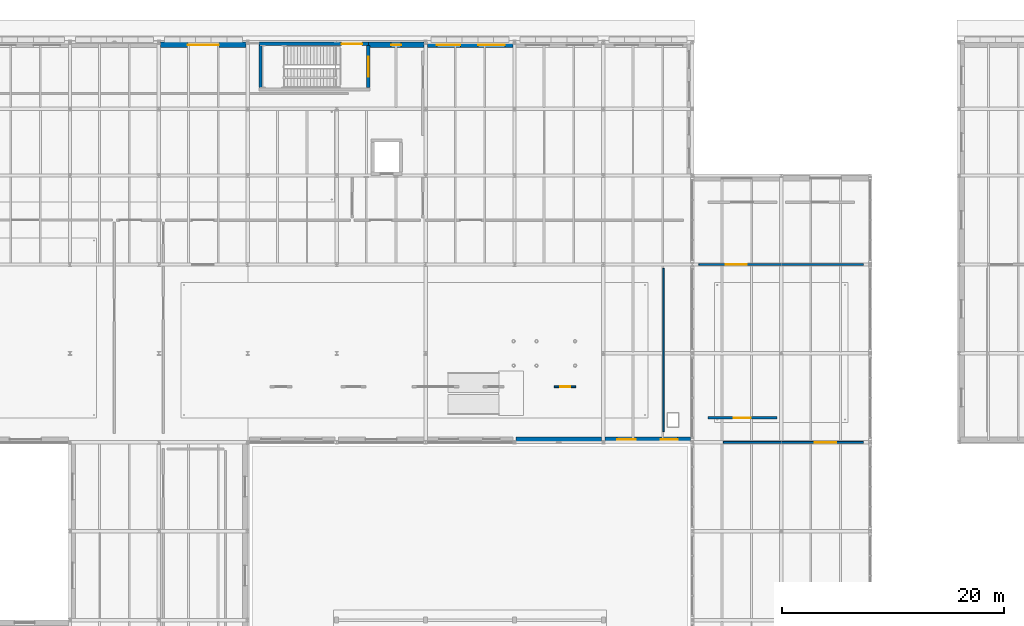
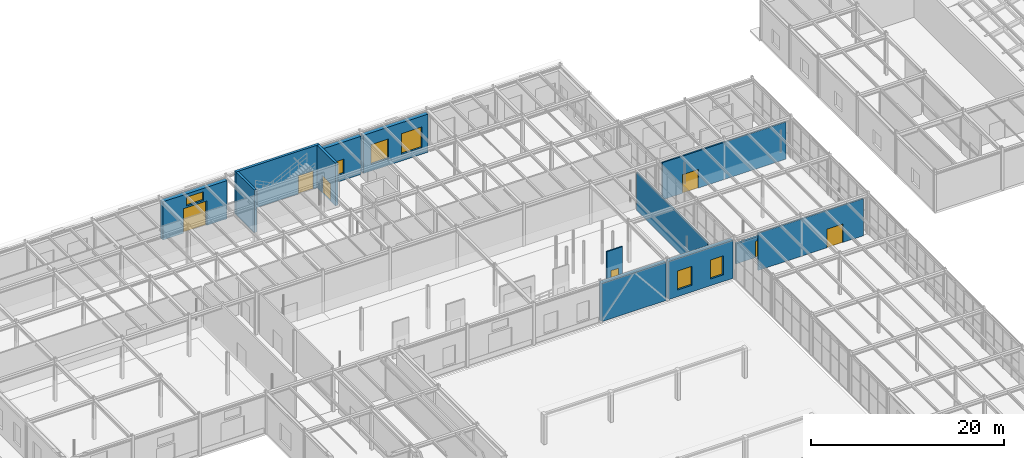
# One storey, part 82 of 129: 13 walls, 7 doors, 6 windows, 13 openings.
"""IFC4 building model written with IfcOpenShell, lengths in metres."""

import ifcopenshell
import ifcopenshell.guid

model = None  # the IFC model being written
_history = None  # IfcOwnerHistory: only IFC2X3 demands one
_inside = {}  # id of a spatial element -> (the spatial element, [elements in it])
_under = {}  # id of a project, library or spatial element -> (it, [spatial elements below it])
_declared = {}  # id of a project -> (the project, [libraries it declares])
_typed = {}  # id of a type object -> (the type object, [elements of that type])
_made_of = {}  # id of a material, layer set ... -> (it, [elements and type objects made of it])


def new_model(schema):
    """Start an empty IFC model of exactly this schema.

    Asked for "IFC4X3", IfcOpenShell would pick the latest addendum, in which some entities
    have other attributes; the version numbers below select the first issue.
    IFC2X3 requires an IfcOwnerHistory on every rooted entity: one is made here for all.
    """
    global model, _history
    if schema == "IFC4X3":
        model = ifcopenshell.file(schema_version=(4, 3, 0, 0))
    else:
        model = ifcopenshell.file(schema=schema)
    _inside.clear()
    _under.clear()
    _declared.clear()
    _typed.clear()
    _made_of.clear()
    _history = None
    if model.schema == "IFC2X3":
        org = make("IfcOrganization", Name="unknown")
        user = make(
            "IfcPersonAndOrganization",
            ThePerson=make("IfcPerson", FamilyName="unknown"),
            TheOrganization=org,
        )
        app = make(
            "IfcApplication",
            ApplicationDeveloper=org,
            Version="unknown",
            ApplicationFullName="unknown",
            ApplicationIdentifier="unknown",
        )
        _history = make(
            "IfcOwnerHistory",
            OwningUser=user,
            OwningApplication=app,
            ChangeAction="ADDED",
            CreationDate=0,
        )
    return model


def make(cls, **values):
    """One entity of the class cls with the attributes given. An attribute that is None is left unset."""
    return model.create_entity(
        cls, **{name: value for name, value in values.items() if value is not None}
    )


def rooted(cls, **values):
    """An entity with a GlobalId (a new one), such as an element, a storey or a relation."""
    return make(cls, GlobalId=ifcopenshell.guid.new(), OwnerHistory=_history, **values)


def si_unit(unit_type, name, prefix=None):
    """IfcSIUnit, for example si_unit("LENGTHUNIT", "METRE", prefix="MILLI")."""
    return make("IfcSIUnit", UnitType=unit_type, Prefix=prefix, Name=name)


def assignment(units):
    """IfcUnitAssignment: the units of a project."""
    return None if units is None else make("IfcUnitAssignment", Units=units)


def point(xyz):
    """IfcCartesianPoint."""
    return None if xyz is None else make("IfcCartesianPoint", Coordinates=xyz)


def direction(xyz):
    """IfcDirection."""
    return None if xyz is None else make("IfcDirection", DirectionRatios=xyz)


def frame(location, z_axis=None, x_axis=None):
    """IfcAxis2Placement3D, a coordinate frame: its origin and axes. An axis left out is left unset."""
    return make(
        "IfcAxis2Placement3D",
        Location=point(location),
        Axis=direction(z_axis),
        RefDirection=direction(x_axis),
    )


def frame_2d(location, x_axis=None):
    """IfcAxis2Placement2D, a coordinate frame in the plane: its origin and x axis."""
    return make(
        "IfcAxis2Placement2D", Location=point(location), RefDirection=direction(x_axis)
    )


def origin():
    """The frame at (0, 0, 0) with its axes left unset."""
    return frame((0.0, 0.0, 0.0))


def place(relative_to, where):
    """IfcLocalPlacement: puts the frame where relative to a parent placement (None: the world)."""
    return make(
        "IfcLocalPlacement", PlacementRelTo=relative_to, RelativePlacement=where
    )


def context(
    kind, dimensions, precision=None, world=None, true_north=None, identifier=None
):
    """IfcGeometricRepresentationContext, for example the 3D "Model" context."""
    return make(
        "IfcGeometricRepresentationContext",
        ContextIdentifier=identifier,
        ContextType=kind,
        CoordinateSpaceDimension=dimensions,
        Precision=precision,
        WorldCoordinateSystem=world,
        TrueNorth=true_north,
    )


def subcontext(parent, identifier, kind, view, scale=None):
    """IfcGeometricRepresentationSubContext, for example "Body" below "Model"."""
    return make(
        "IfcGeometricRepresentationSubContext",
        ContextIdentifier=identifier,
        ContextType=kind,
        ParentContext=parent,
        TargetScale=scale,
        TargetView=view,
    )


def project(units=None, contexts=None):
    """IfcProject with its units and contexts."""
    return rooted(
        "IfcProject",
        Name="project",
        RepresentationContexts=contexts,
        UnitsInContext=assignment(units),
    )


def spatial(cls, under=None, at=None, **own):
    """A site, building, storey or space (cls), placed at a placement, below another one or the project."""
    s = rooted(cls, ObjectPlacement=at, **own)
    if under is not None:
        _under.setdefault(under.id(), (under, []))[1].append(s)
    return s


def profile(cls, at=None, kind="AREA", **sizes):
    """A parametric profile (cls). Its sizes go by their IFC names, for example OverallWidth=200.0."""
    return make(cls, ProfileType=kind, Position=at, **sizes)


def rectangle(**sizes):
    """IfcRectangleProfileDef."""
    return profile("IfcRectangleProfileDef", **sizes)


def extrude(swept, where, along, depth):
    """IfcExtrudedAreaSolid: the profile swept, set in the frame where, extruded along a direction by depth."""
    return make(
        "IfcExtrudedAreaSolid",
        SweptArea=swept,
        Position=where,
        ExtrudedDirection=direction(along),
        Depth=depth,
    )


def shape(context_of_items, identifier, shape_type, items):
    """IfcShapeRepresentation: the items that make up one representation, for example the "Body"."""
    return make(
        "IfcShapeRepresentation",
        ContextOfItems=context_of_items,
        RepresentationIdentifier=identifier,
        RepresentationType=shape_type,
        Items=items,
    )


def material(Name=None, Category=None):
    """IfcMaterial."""
    return make("IfcMaterial", Name=Name, Category=Category)


def layer(
    of_material, thickness, ventilated=None, Name=None, Category=None, Priority=None
):
    """IfcMaterialLayer: one layer of a wall or slab, of a material (None: an air gap)."""
    return make(
        "IfcMaterialLayer",
        Material=of_material,
        LayerThickness=thickness,
        IsVentilated=ventilated,
        Name=Name,
        Category=Category,
        Priority=Priority,
    )


def layer_set(layers, Name=None):
    """IfcMaterialLayerSet."""
    return make("IfcMaterialLayerSet", MaterialLayers=layers, LayerSetName=Name)


def made_of(thing, what):
    """Note that an element or type object is made of a material, layer set ...; save() writes the relation."""
    if what is not None:
        _made_of.setdefault(what.id(), (what, []))[1].append(thing)
    return thing


def type_object(cls, material=None, **own):
    """A type object (cls), such as IfcWallType, which elements share."""
    return made_of(rooted(cls, **own), material)


def element(
    cls,
    number,
    at=None,
    inside=None,
    cuts=None,
    type_object=None,
    material=None,
    context=None,
    identifier="Body",
    shape_type=None,
    held_by="IfcProductDefinitionShape",
    body=None,
    shapes=None,
    **own,
):
    """One element of the class cls, such as IfcWall. Its Tag is "e" and its number.

    at: its placement. inside: the storey or other place that contains it. cuts: it is an
    opening in that element (IfcRelVoidsElement). A single representation is given by context,
    identifier, shape_type and body (its items); several are given by shapes. held_by: the class
    of the entity that holds the representations. save() writes the other relations.
    """
    e = rooted(cls, Tag="e%d" % number, ObjectPlacement=at, **own)
    if body is not None:
        shapes = [shape(context, identifier, shape_type, body)]
    if shapes is not None:
        e.Representation = make(held_by, Representations=shapes)
    if inside is not None:
        _inside.setdefault(inside.id(), (inside, []))[1].append(e)
    if cuts is not None:
        rooted(
            "IfcRelVoidsElement", RelatingBuildingElement=cuts, RelatedOpeningElement=e
        )
    if type_object is not None:
        _typed.setdefault(type_object.id(), (type_object, []))[1].append(e)
    return made_of(e, material)


def fill(opening, filler):
    """IfcRelFillsElement: the door or window that sits in an opening."""
    return rooted(
        "IfcRelFillsElement",
        RelatingOpeningElement=opening,
        RelatedBuildingElement=filler,
    )


def aggregate(whole, parts):
    """IfcRelAggregates: a whole, such as a stair, and the parts it consists of."""
    return rooted("IfcRelAggregates", RelatingObject=whole, RelatedObjects=parts)


def save(model, path):
    """Write the relations noted so far, then the file.

    IfcRelAggregates (storeys below a building ...), IfcRelContainedInSpatialStructure (elements
    in a storey), IfcRelDefinesByType, IfcRelAssociatesMaterial and IfcRelDeclares: one each for
    every whole, place, type object, material and project.
    """
    for whole, parts in _under.values():
        aggregate(whole, parts)
    for where, things in _inside.values():
        rooted(
            "IfcRelContainedInSpatialStructure",
            RelatedElements=things,
            RelatingStructure=where,
        )
    for kind, things in _typed.values():
        rooted("IfcRelDefinesByType", RelatedObjects=things, RelatingType=kind)
    for what, things in _made_of.values():
        rooted("IfcRelAssociatesMaterial", RelatedObjects=things, RelatingMaterial=what)
    for by, libraries in _declared.values():
        rooted("IfcRelDeclares", RelatingContext=by, RelatedDefinitions=libraries)
    model.write(path)


model = new_model("IFC4")

# Units and contexts
model_context = context("Model", 3, precision=1e-05, world=origin(), true_north=direction((0.0, 1.0)))
body_context = subcontext(model_context, "Body", "Model", "MODEL_VIEW")
ifc_project = project(units=[si_unit("LENGTHUNIT", "METRE"), si_unit("AREAUNIT", "SQUARE_METRE"), si_unit("VOLUMEUNIT", "CUBIC_METRE"), si_unit("PLANEANGLEUNIT", "RADIAN"), si_unit("MASSUNIT", "GRAM", prefix="KILO")], contexts=[model_context])

# Site, building, storey
site_placement = place(None, origin())
site = spatial("IfcSite", under=ifc_project, at=site_placement, CompositionType="ELEMENT")
building_placement = place(site_placement, origin())
building = spatial("IfcBuilding", under=site, at=building_placement, Name="Sundkrona Museum", CompositionType="ELEMENT")
storey_placement = place(building_placement, origin())
storey = spatial("IfcBuildingStorey", under=building, at=storey_placement, Name="L00", CompositionType="ELEMENT", Elevation=0.0)

# Wall, opening, door
ifc_material_1 = material(Name="Concrete C40/50", Category="concrete")
ifc_layer_1 = layer(ifc_material_1, 0.300048828125)
ifc_layer_set_1 = layer_set([ifc_layer_1], Name="Concrete C40/50")
wall_type_1 = type_object("IfcWallType", Name="W-CORE-300", PredefinedType="SHEAR", material=ifc_layer_set_1)
wall_1_placement = place(storey_placement, frame((41.0, 113.85009765625, 0.0), z_axis=(0.0, 0.0, 1.0), x_axis=(1.0, 0.0, 0.0)))
wall_1 = element("IfcWall", 1, at=wall_1_placement, inside=storey, type_object=wall_type_1, Name="L00 ST-3 Core Shear Wall North", PredefinedType="SHEAR", context=body_context, shape_type="SweptSolid", body=[
    extrude(rectangle(XDim=10.0, YDim=0.300048828125, at=frame_2d((5.0, 0.0))), origin(), (0.0, 0.0, 1.0), 5.39990234375),
])
opening_1_placement = place(wall_1_placement, frame((7.449951171875, 0.0, 0.0)))
opening_1 = element("IfcOpeningElement", 2, at=opening_1_placement, cuts=wall_1, Name="Opening D-EX-185", PredefinedType="OPENING", context=body_context, shape_type="SweptSolid", body=[
    extrude(rectangle(XDim=1.85009765625, YDim=2.300048828125, at=frame_2d((0.925048828125, 1.14990234375))), frame((0.0, 0.159912109375, 0.0), z_axis=(0.0, -1.0, 0.0), x_axis=(1.0, 0.0, 0.0)), (0.0, 0.0, 1.0), 0.320068359375),
])
ifc_material_2 = material(Name="Thermally Broken Aluminium Exit Door", Category="aluminium")
door_type_1 = type_object("IfcDoorType", Name="D-EX-185", OperationType="DOUBLE_DOOR_SINGLE_SWING", PredefinedType="DOOR", material=ifc_material_2)
door_1_placement = place(opening_1_placement, origin())
door_1 = element("IfcDoor", 3, at=door_1_placement, inside=storey, type_object=door_type_1, Name="Core 3 ST-3 North Avenue Exit Door FE-9 DR-ST3-EXIT", OperationType="DOUBLE_DOOR_SINGLE_SWING", OverallHeight=2.300048828125, OverallWidth=1.85009765625, PredefinedType="DOOR", context=body_context, shape_type="SweptSolid", body=[
    extrude(rectangle(XDim=1.85009765625, YDim=2.300048828125, at=frame_2d((0.925048828125, 1.14990234375))), frame((0.0, 0.02490234375, 0.0), z_axis=(0.0, -1.0, 0.0), x_axis=(1.0, 0.0, 0.0)), (0.0, 0.0, 1.0), 0.050048828125),
])
fill(opening_1, door_1)

# Wall
wall_2_placement = place(storey_placement, frame((41.14990234375, 109.909912109375, 0.0), z_axis=(0.0, 0.0, 1.0), x_axis=(0.0, 1.0, 0.0)))
element("IfcWall", 4, at=wall_2_placement, inside=storey, type_object=wall_type_1, Name="L00 ST-3 Core Shear Wall West", PredefinedType="SHEAR", context=body_context, shape_type="SweptSolid", body=[
    extrude(rectangle(XDim=3.780029296875, YDim=0.300048828125, at=frame_2d((1.89013671875, 0.0))), origin(), (0.0, 0.0, 1.0), 5.39990234375),
])

# Wall, opening, door
wall_3_placement = place(storey_placement, frame((50.85009765625, 109.909912109375, 0.0), z_axis=(0.0, 0.0, 1.0), x_axis=(0.0, 1.0, 0.0)))
wall_3 = element("IfcWall", 5, at=wall_3_placement, inside=storey, type_object=wall_type_1, Name="L00 ST-3 Core Shear Wall East", PredefinedType="SHEAR", context=body_context, shape_type="SweptSolid", body=[
    extrude(rectangle(XDim=3.780029296875, YDim=0.300048828125, at=frame_2d((1.89013671875, 0.0))), origin(), (0.0, 0.0, 1.0), 5.39990234375),
])
opening_2_placement = place(wall_3_placement, frame((0.989990234375, 0.0, 0.0)))
opening_2 = element("IfcOpeningElement", 6, at=opening_2_placement, cuts=wall_3, Name="Opening D-FD60", PredefinedType="OPENING", context=body_context, shape_type="SweptSolid", body=[
    extrude(rectangle(XDim=1.800048828125, YDim=2.199951171875, at=frame_2d((0.89990234375, 1.10009765625))), frame((0.0, 0.159912109375, 0.0), z_axis=(0.0, -1.0, 0.0), x_axis=(1.0, 0.0, 0.0)), (0.0, 0.0, 1.0), 0.320068359375),
])
ifc_material_3 = material(Name="Steel S355J2 Fire Door Leaf", Category="steel")
door_type_2 = type_object("IfcDoorType", Name="D-FD60", OperationType="DOUBLE_DOOR_SINGLE_SWING", PredefinedType="DOOR", material=ifc_material_3)
door_2_placement = place(opening_2_placement, origin())
door_2 = element("IfcDoor", 7, at=door_2_placement, inside=storey, type_object=door_type_2, Name="L00 ST-3 Protected Escape Stair Door DR-ST-3-L00", OperationType="DOUBLE_DOOR_SINGLE_SWING", OverallHeight=2.199951171875, OverallWidth=1.800048828125, PredefinedType="DOOR", context=body_context, shape_type="SweptSolid", body=[
    extrude(rectangle(XDim=1.800048828125, YDim=2.199951171875, at=frame_2d((0.89990234375, 1.10009765625))), frame((0.0, 0.02490234375, 0.0), z_axis=(0.0, -1.0, 0.0), x_axis=(1.0, 0.0, 0.0)), (0.0, 0.0, 1.0), 0.050048828125),
])
fill(opening_2, door_2)

# Wall
ifc_material_4 = material(Name="Danian Limestone Ashlar Masonry 480 mm", Category="masonry")
ifc_layer_2 = layer(ifc_material_4, 0.47998046875)
ifc_layer_set_2 = layer_set([ifc_layer_2], Name="Danian Limestone Ashlar Masonry 480 mm")
wall_type_2 = type_object("IfcWallType", Name="W-LIM-480", PredefinedType="SOLIDWALL", material=ifc_layer_set_2)
wall_4_placement = place(storey_placement, frame((71.847900390625, 78.239990234375, 0.0), z_axis=(0.0, 0.0, 1.0), x_axis=(-1.0, 0.0, 0.0)))
element("IfcWall", 8, at=wall_4_placement, inside=storey, type_object=wall_type_2, Name="L00 Facade Wall 0100", PredefinedType="SOLIDWALL", context=body_context, shape_type="SweptSolid", body=[
    extrude(rectangle(XDim=7.69580078125, YDim=0.47998046875, at=frame_2d((3.847900390625, 0.0))), origin(), (0.0, 0.0, 1.0), 4.8349609375),
])

# Wall, openings, windows
wall_5_placement = place(storey_placement, frame((79.85791015625, 78.239990234375, 0.0), z_axis=(0.0, 0.0, 1.0), x_axis=(-1.0, 0.0, 0.0)))
wall_5 = element("IfcWall", 9, at=wall_5_placement, inside=storey, type_object=wall_type_2, Name="L00 Facade Wall 0101", PredefinedType="SOLIDWALL", context=body_context, shape_type="SweptSolid", body=[
    extrude(rectangle(XDim=7.705810546875, YDim=0.47998046875, at=frame_2d((3.85302734375, 0.0))), origin(), (0.0, 0.0, 1.0), 4.81494140625),
])
opening_3_placement = place(wall_5_placement, frame((1.176513671875, 0.0, 0.85009765625)))
opening_3 = element("IfcOpeningElement", 10, at=opening_3_placement, cuts=wall_5, Name="Opening WN-GL-150x240", PredefinedType="OPENING", context=body_context, shape_type="SweptSolid", body=[
    extrude(rectangle(XDim=1.5, YDim=2.39990234375, at=frame_2d((0.75, 1.199951171875))), frame((0.0, 0.25, 0.0), z_axis=(0.0, -1.0, 0.0), x_axis=(1.0, 0.0, 0.0)), (0.0, 0.0, 1.0), 0.5),
])
opening_4_placement = place(wall_5_placement, frame((4.929443359375, 0.0, 0.85009765625)))
opening_4 = element("IfcOpeningElement", 11, at=opening_4_placement, cuts=wall_5, Name="Opening WN-GL-170x240", PredefinedType="OPENING", context=body_context, shape_type="SweptSolid", body=[
    extrude(rectangle(XDim=1.699951171875, YDim=2.39990234375, at=frame_2d((0.85009765625, 1.199951171875))), frame((0.0, 0.25, 0.0), z_axis=(0.0, -1.0, 0.0), x_axis=(1.0, 0.0, 0.0)), (0.0, 0.0, 1.0), 0.5),
])
ifc_material_5 = material(Name="Triple Low-E Argon Glazing in Bronze-Anodised Aluminium", Category="aluminium")
window_type_1 = type_object("IfcWindowType", Name="WN-GL-150x240", PartitioningType="SINGLE_PANEL", PredefinedType="WINDOW", material=ifc_material_5)
window_1_placement = place(opening_3_placement, origin())
window_1 = element("IfcWindow", 12, at=window_1_placement, inside=storey, type_object=window_type_1, Name="L00 Finned wing deep-reveal gallery window 1500x2400 WIN-L00-0137", OverallHeight=2.39990234375, OverallWidth=1.5, PartitioningType="SINGLE_PANEL", PredefinedType="WINDOW", context=body_context, shape_type="SweptSolid", body=[
    extrude(rectangle(XDim=1.5, YDim=2.39990234375, at=frame_2d((0.75, 1.199951171875))), frame((0.0, 0.030029296875, 0.0), z_axis=(0.0, -1.0, 0.0), x_axis=(1.0, 0.0, 0.0)), (0.0, 0.0, 1.0), 0.06005859375),
])
fill(opening_3, window_1)
window_type_2 = type_object("IfcWindowType", Name="WN-GL-170x240", PartitioningType="DOUBLE_PANEL_VERTICAL", PredefinedType="WINDOW", material=ifc_material_5)
window_2_placement = place(opening_4_placement, origin())
window_2 = element("IfcWindow", 13, at=window_2_placement, inside=storey, type_object=window_type_2, Name="L00 Finned wing wide gallery window 1700x2400 WIN-L00-0138", OverallHeight=2.39990234375, OverallWidth=1.699951171875, PartitioningType="DOUBLE_PANEL_VERTICAL", PredefinedType="WINDOW", context=body_context, shape_type="SweptSolid", body=[
    extrude(rectangle(XDim=1.699951171875, YDim=2.39990234375, at=frame_2d((0.85009765625, 1.199951171875))), frame((0.0, 0.030029296875, 0.0), z_axis=(0.0, -1.0, 0.0), x_axis=(1.0, 0.0, 0.0)), (0.0, 0.0, 1.0), 0.06005859375),
])
fill(opening_4, window_2)

# Wall, openings, door, window
wall_6_placement = place(storey_placement, frame((32.152099609375, 113.760009765625, 0.0), z_axis=(0.0, 0.0, 1.0), x_axis=(1.0, 0.0, 0.0)))
wall_6 = element("IfcWall", 14, at=wall_6_placement, inside=storey, type_object=wall_type_2, Name="L00 Facade Wall 0111", PredefinedType="SOLIDWALL", context=body_context, shape_type="SweptSolid", body=[
    extrude(rectangle(XDim=7.69580078125, YDim=0.47998046875, at=frame_2d((3.847900390625, 0.0))), origin(), (0.0, 0.0, 1.0), 4.8349609375),
])
opening_5_placement = place(wall_6_placement, frame((2.447998046875, 0.0, 0.0)))
opening_5 = element("IfcOpeningElement", 15, at=opening_5_placement, cuts=wall_6, Name="Opening D-EX-280", PredefinedType="OPENING", context=body_context, shape_type="SweptSolid", body=[
    extrude(rectangle(XDim=2.800048828125, YDim=3.10009765625, at=frame_2d((1.39990234375, 1.550048828125))), frame((0.0, 0.25, 0.0), z_axis=(0.0, -1.0, 0.0), x_axis=(1.0, 0.0, 0.0)), (0.0, 0.0, 1.0), 0.5),
])
opening_6_placement = place(wall_6_placement, frame((2.847900390625, 0.0, 3.320068359375)))
opening_6 = element("IfcOpeningElement", 16, at=opening_6_placement, cuts=wall_6, Name="Opening WN-CL-200x110", PredefinedType="OPENING", context=body_context, shape_type="SweptSolid", body=[
    extrude(rectangle(XDim=2.0, YDim=1.10009765625, at=frame_2d((1.0, 0.550048828125))), frame((0.0, 0.25, 0.0), z_axis=(0.0, -1.0, 0.0), x_axis=(1.0, 0.0, 0.0)), (0.0, 0.0, 1.0), 0.5),
])
ifc_material_6 = material(Name="Bronze and Triple-Glazed Entrance Door", Category="other")
door_type_3 = type_object("IfcDoorType", Name="D-EX-280", OperationType="DOUBLE_DOOR_SINGLE_SWING", PredefinedType="DOOR", material=ifc_material_6)
door_3_placement = place(opening_5_placement, origin())
door_3 = element("IfcDoor", 17, at=door_3_placement, inside=storey, type_object=door_type_3, Name="L00 Exterior Door D-EX-280 DR-FE-V3N-32", OperationType="DOUBLE_DOOR_SINGLE_SWING", OverallHeight=3.10009765625, OverallWidth=2.800048828125, PredefinedType="DOOR", context=body_context, shape_type="SweptSolid", body=[
    extrude(rectangle(XDim=2.800048828125, YDim=3.10009765625, at=frame_2d((1.39990234375, 1.550048828125))), frame((0.0, 0.02490234375, 0.0), z_axis=(0.0, -1.0, 0.0), x_axis=(1.0, 0.0, 0.0)), (0.0, 0.0, 1.0), 0.050048828125),
])
fill(opening_5, door_3)
window_type_3 = type_object("IfcWindowType", Name="WN-CL-200x110", PartitioningType="DOUBLE_PANEL_HORIZONTAL", PredefinedType="WINDOW", material=ifc_material_5)
window_3_placement = place(opening_6_placement, origin())
window_3 = element("IfcWindow", 18, at=window_3_placement, inside=storey, type_object=window_type_3, Name="L00 Archive foyer clerestory window 2000x1100 WIN-L00-0150", OverallHeight=1.10009765625, OverallWidth=2.0, PartitioningType="DOUBLE_PANEL_HORIZONTAL", PredefinedType="WINDOW", context=body_context, shape_type="SweptSolid", body=[
    extrude(rectangle(XDim=2.0, YDim=1.10009765625, at=frame_2d((1.0, 0.550048828125))), frame((0.0, 0.030029296875, 0.0), z_axis=(0.0, -1.0, 0.0), x_axis=(1.0, 0.0, 0.0)), (0.0, 0.0, 1.0), 0.06005859375),
])
fill(opening_6, window_3)

# Wall, opening, window
wall_7_placement = place(storey_placement, frame((50.860107421875, 113.760009765625, 0.0), z_axis=(0.0, 0.0, 1.0), x_axis=(1.0, 0.0, 0.0)))
wall_7 = element("IfcWall", 19, at=wall_7_placement, inside=storey, type_object=wall_type_2, Name="L00 Facade Wall 0112", PredefinedType="SOLIDWALL", context=body_context, shape_type="SweptSolid", body=[
    extrude(rectangle(XDim=4.98779296875, YDim=0.47998046875, at=frame_2d((2.493896484375, 0.0))), origin(), (0.0, 0.0, 1.0), 4.8349609375),
])
opening_7_placement = place(wall_7_placement, frame((2.0439453125, 0.0, 0.85009765625)))
opening_7 = element("IfcOpeningElement", 20, at=opening_7_placement, cuts=wall_7, Name="Opening WN-ST-090x180", PredefinedType="OPENING", context=body_context, shape_type="SweptSolid", body=[
    extrude(rectangle(XDim=0.89990234375, YDim=1.800048828125, at=frame_2d((0.449951171875, 0.89990234375))), frame((0.0, 0.25, 0.0), z_axis=(0.0, -1.0, 0.0), x_axis=(1.0, 0.0, 0.0)), (0.0, 0.0, 1.0), 0.5),
])
window_type_4 = type_object("IfcWindowType", Name="WN-ST-090x180", PartitioningType="SINGLE_PANEL", PredefinedType="WINDOW", material=ifc_material_5)
window_4_placement = place(opening_7_placement, origin())
window_4 = element("IfcWindow", 21, at=window_4_placement, inside=storey, type_object=window_type_4, Name="L00 Stair-core avenue daylight slot window 900x1800 WIN-L00-0151", OverallHeight=1.800048828125, OverallWidth=0.89990234375, PartitioningType="SINGLE_PANEL", PredefinedType="WINDOW", context=body_context, shape_type="SweptSolid", body=[
    extrude(rectangle(XDim=0.89990234375, YDim=1.800048828125, at=frame_2d((0.449951171875, 0.89990234375))), frame((0.0, 0.030029296875, 0.0), z_axis=(0.0, -1.0, 0.0), x_axis=(1.0, 0.0, 0.0)), (0.0, 0.0, 1.0), 0.06005859375),
])
fill(opening_7, window_4)

# Wall, openings, windows
wall_8_placement = place(storey_placement, frame((56.152099609375, 113.760009765625, 0.0), z_axis=(0.0, 0.0, 1.0), x_axis=(1.0, 0.0, 0.0)))
wall_8 = element("IfcWall", 22, at=wall_8_placement, inside=storey, type_object=wall_type_2, Name="L00 Facade Wall 0113", PredefinedType="SOLIDWALL", context=body_context, shape_type="SweptSolid", body=[
    extrude(rectangle(XDim=7.69580078125, YDim=0.47998046875, at=frame_2d((3.847900390625, 0.0))), origin(), (0.0, 0.0, 1.0), 4.8349609375),
])
opening_8_placement = place(wall_8_placement, frame((0.8740234375, 0.0, 0.85009765625)))
opening_8 = element("IfcOpeningElement", 23, at=opening_8_placement, cuts=wall_8, Name="Opening WN-GL-210x250", PredefinedType="OPENING", context=body_context, shape_type="SweptSolid", body=[
    extrude(rectangle(XDim=2.10009765625, YDim=2.5, at=frame_2d((1.050048828125, 1.25))), frame((0.0, 0.25, 0.0), z_axis=(0.0, -1.0, 0.0), x_axis=(1.0, 0.0, 0.0)), (0.0, 0.0, 1.0), 0.5),
])
opening_9_placement = place(wall_8_placement, frame((4.572021484375, 0.0, 0.85009765625)))
opening_9 = element("IfcOpeningElement", 24, at=opening_9_placement, cuts=wall_8, Name="Opening WN-GL-240x260", PredefinedType="OPENING", context=body_context, shape_type="SweptSolid", body=[
    extrude(rectangle(XDim=2.39990234375, YDim=2.60009765625, at=frame_2d((1.199951171875, 1.300048828125))), frame((0.0, 0.25, 0.0), z_axis=(0.0, -1.0, 0.0), x_axis=(1.0, 0.0, 0.0)), (0.0, 0.0, 1.0), 0.5),
])
window_type_5 = type_object("IfcWindowType", Name="WN-GL-210x250", PartitioningType="DOUBLE_PANEL_VERTICAL", PredefinedType="WINDOW", material=ifc_material_5)
window_5_placement = place(opening_8_placement, origin())
window_5 = element("IfcWindow", 25, at=window_5_placement, inside=storey, type_object=window_type_5, Name="L00 Botanical court outlook window 2100x2500 WIN-L00-0152", OverallHeight=2.5, OverallWidth=2.10009765625, PartitioningType="DOUBLE_PANEL_VERTICAL", PredefinedType="WINDOW", context=body_context, shape_type="SweptSolid", body=[
    extrude(rectangle(XDim=2.10009765625, YDim=2.5, at=frame_2d((1.050048828125, 1.25))), frame((0.0, 0.030029296875, 0.0), z_axis=(0.0, -1.0, 0.0), x_axis=(1.0, 0.0, 0.0)), (0.0, 0.0, 1.0), 0.06005859375),
])
fill(opening_8, window_5)
window_type_6 = type_object("IfcWindowType", Name="WN-GL-240x260", PartitioningType="TRIPLE_PANEL_VERTICAL", PredefinedType="WINDOW", material=ifc_material_5)
window_6_placement = place(opening_9_placement, origin())
window_6 = element("IfcWindow", 26, at=window_6_placement, inside=storey, type_object=window_type_6, Name="L00 Cloister garden picture window 2400x2600 WIN-L00-0153", OverallHeight=2.60009765625, OverallWidth=2.39990234375, PartitioningType="TRIPLE_PANEL_VERTICAL", PredefinedType="WINDOW", context=body_context, shape_type="SweptSolid", body=[
    extrude(rectangle(XDim=2.39990234375, YDim=2.60009765625, at=frame_2d((1.199951171875, 1.300048828125))), frame((0.0, 0.030029296875, 0.0), z_axis=(0.0, -1.0, 0.0), x_axis=(1.0, 0.0, 0.0)), (0.0, 0.0, 1.0), 0.06005859375),
])
fill(opening_9, window_6)

# Wall, opening, door
ifc_material_7 = material(Name="Copper-capped Scanian Brick Masonry 250 mm", Category="masonry")
ifc_layer_3 = layer(ifc_material_7, 0.25)
ifc_layer_set_3 = layer_set([ifc_layer_3], Name="Copper-capped Scanian Brick Masonry 250 mm")
wall_type_3 = type_object("IfcWallType", Name="W-PR-250", PredefinedType="PARAPET", material=ifc_layer_set_3)
wall_9_placement = place(storey_placement, frame((81.39990234375, 80.199951171875, 0.0), z_axis=(0.0, 0.0, 1.0), x_axis=(1.0, 0.0, 0.0)))
wall_9 = element("IfcWall", 27, at=wall_9_placement, inside=storey, type_object=wall_type_3, Name="Courtyard Masonry Screen Wall SC-S1", PredefinedType="PARAPET", context=body_context, shape_type="SweptSolid", body=[
    extrude(rectangle(XDim=6.2001953125, YDim=0.25, at=frame_2d((3.10009765625, 0.0))), origin(), (0.0, 0.0, 1.0), 2.550048828125),
])
opening_10_placement = place(wall_9_placement, frame((2.35009765625, 0.0, 0.0)))
opening_10 = element("IfcOpeningElement", 28, at=opening_10_placement, cuts=wall_9, Name="Opening GT-150", PredefinedType="OPENING", context=body_context, shape_type="SweptSolid", body=[
    extrude(rectangle(XDim=1.5, YDim=2.050048828125, at=frame_2d((0.75, 1.02490234375))), frame((0.0, 0.135009765625, 0.0), z_axis=(0.0, -1.0, 0.0), x_axis=(1.0, 0.0, 0.0)), (0.0, 0.0, 1.0), 0.27001953125),
])
ifc_material_8 = material(Name="Wrought Steel Modernisme Bar Gate", Category="steel")
door_type_4 = type_object("IfcDoorType", Name="GT-150", OperationType="NOTDEFINED", PredefinedType="GATE", material=ifc_material_8)
door_4_placement = place(opening_10_placement, origin())
door_4 = element("IfcDoor", 29, at=door_4_placement, inside=storey, type_object=door_type_4, Name="Courtyard Escape Gate GT-150 DR-GATE-SC-S1", OperationType="SINGLE_SWING_LEFT", OverallHeight=2.050048828125, OverallWidth=1.5, PredefinedType="GATE", context=body_context, shape_type="SweptSolid", body=[
    extrude(rectangle(XDim=1.5, YDim=2.050048828125, at=frame_2d((0.75, 1.02490234375))), frame((0.0, 0.02490234375, 0.0), z_axis=(0.0, -1.0, 0.0), x_axis=(1.0, 0.0, 0.0)), (0.0, 0.0, 1.0), 0.050048828125),
])
fill(opening_10, door_4)

# Wall
ifc_material_9 = material(Name="Acoustic Gypsum Partition Board 150 mm", Category="other")
ifc_layer_4 = layer(ifc_material_9, 0.14990234375)
ifc_layer_set_4 = layer_set([ifc_layer_4], Name="Acoustic Gypsum Partition Board 150 mm")
wall_type_4 = type_object("IfcWallType", Name="W-PT-150", PredefinedType="PARTITIONING", material=ifc_layer_set_4)
wall_10_placement = place(storey_placement, frame((77.39990234375, 78.949951171875, 0.0), z_axis=(0.0, 0.0, 1.0), x_axis=(0.0, 1.0, 0.0)))
element("IfcWall", 30, at=wall_10_placement, inside=storey, type_object=wall_type_4, Name="L00 Sculpture Cloister Gallery Enclosure Wall E", PredefinedType="PARTITIONING", context=body_context, shape_type="SweptSolid", body=[
    extrude(rectangle(XDim=14.699951171875, YDim=0.14990234375, at=frame_2d((7.35009765625, 0.0))), origin(), (0.0, 0.0, 1.0), 4.81005859375),
])

# Wall, opening, door
wall_11_placement = place(storey_placement, frame((67.60009765625, 83.0, 0.0), z_axis=(0.0, 0.0, 1.0), x_axis=(1.0, 0.0, 0.0)))
wall_11 = element("IfcWall", 31, at=wall_11_placement, inside=storey, type_object=wall_type_4, Name="L00 Gallery Vestibule Screen 05", PredefinedType="PARTITIONING", context=body_context, shape_type="SweptSolid", body=[
    extrude(rectangle(XDim=1.89990234375, YDim=0.14990234375, at=frame_2d((0.949951171875, 0.0))), origin(), (0.0, 0.0, 1.0), 4.659912109375),
])
opening_11_placement = place(wall_11_placement, frame((0.5, 0.0, 0.0)))
opening_11 = element("IfcOpeningElement", 32, at=opening_11_placement, cuts=wall_11, Name="Opening D-WC-090", PredefinedType="OPENING", context=body_context, shape_type="SweptSolid", body=[
    extrude(rectangle(XDim=0.89990234375, YDim=2.10009765625, at=frame_2d((0.449951171875, 1.050048828125))), frame((0.0, 0.0849609375, 0.0), z_axis=(0.0, -1.0, 0.0), x_axis=(1.0, 0.0, 0.0)), (0.0, 0.0, 1.0), 0.169921875),
])
ifc_material_10 = material(Name="Painted Ash Timber Door", Category="wood")
door_type_5 = type_object("IfcDoorType", Name="D-WC-090", OperationType="NOTDEFINED", PredefinedType="DOOR", material=ifc_material_10)
door_5_placement = place(opening_11_placement, origin())
door_5 = element("IfcDoor", 33, at=door_5_placement, inside=storey, type_object=door_type_5, Name="L00 Vestibule Door D-WC-090 DR-VST-05", OperationType="SINGLE_SWING_LEFT", OverallHeight=2.10009765625, OverallWidth=0.89990234375, PredefinedType="DOOR", context=body_context, shape_type="SweptSolid", body=[
    extrude(rectangle(XDim=0.89990234375, YDim=2.10009765625, at=frame_2d((0.449951171875, 1.050048828125))), frame((0.0, 0.02490234375, 0.0), z_axis=(0.0, -1.0, 0.0), x_axis=(1.0, 0.0, 0.0)), (0.0, 0.0, 1.0), 0.050048828125),
])
fill(opening_11, door_5)

ifc_material_11 = material(Name="Fire-rated Gypsum Partition Board 175 mm", Category="other")
ifc_layer_5 = layer(ifc_material_11, 0.175048828125)
ifc_layer_set_5 = layer_set([ifc_layer_5], Name="Fire-rated Gypsum Partition Board 175 mm")
wall_type_5 = type_object("IfcWallType", Name="W-PT-175", PredefinedType="PARTITIONING", material=ifc_layer_set_5)
wall_12_placement = place(storey_placement, frame((82.800048828125, 78.0, 0.0), z_axis=(0.0, 0.0, 1.0), x_axis=(1.0, 0.0, 0.0)))
wall_12 = element("IfcWall", 34, at=wall_12_placement, inside=storey, type_object=wall_type_5, Name="L00 Partition Covered Passage Concourse / Public Natural History Study Room", PredefinedType="PARTITIONING", context=body_context, shape_type="SweptSolid", body=[
    extrude(rectangle(XDim=12.599853515625, YDim=0.175048828125, at=frame_2d((6.2998046875, 0.0))), origin(), (0.0, 0.0, 1.0), 4.699951171875),
])
opening_12_placement = place(wall_12_placement, frame((8.235595703125, 0.0, 0.0)))
opening_12 = element("IfcOpeningElement", 35, at=opening_12_placement, cuts=wall_12, Name="Opening D-AUD-190", PredefinedType="OPENING", context=body_context, shape_type="SweptSolid", body=[
    extrude(rectangle(XDim=1.89990234375, YDim=2.35009765625, at=frame_2d((0.949951171875, 1.175048828125))), frame((0.0, 0.097412109375, 0.0), z_axis=(0.0, -1.0, 0.0), x_axis=(1.0, 0.0, 0.0)), (0.0, 0.0, 1.0), 0.195068359375),
])
ifc_material_12 = material(Name="Acoustic Oak Fire Door", Category="other")
door_type_6 = type_object("IfcDoorType", Name="D-AUD-190", OperationType="DOUBLE_DOOR_SINGLE_SWING", PredefinedType="DOOR", material=ifc_material_12)
door_6_placement = place(opening_12_placement, origin())
door_6 = element("IfcDoor", 36, at=door_6_placement, inside=storey, type_object=door_type_6, Name="L00 Interior Door DR-ADJ-L00-0054", OperationType="DOUBLE_DOOR_SINGLE_SWING", OverallHeight=2.35009765625, OverallWidth=1.89990234375, PredefinedType="DOOR", context=body_context, shape_type="SweptSolid", body=[
    extrude(rectangle(XDim=1.89990234375, YDim=2.35009765625, at=frame_2d((0.949951171875, 1.175048828125))), frame((0.0, 0.02490234375, 0.0), z_axis=(0.0, -1.0, 0.0), x_axis=(1.0, 0.0, 0.0)), (0.0, 0.0, 1.0), 0.050048828125),
])
fill(opening_12, door_6)

wall_13_placement = place(storey_placement, frame((80.60009765625, 94.0, 0.0), z_axis=(0.0, 0.0, 1.0), x_axis=(1.0, 0.0, 0.0)))
wall_13 = element("IfcWall", 37, at=wall_13_placement, inside=storey, type_object=wall_type_5, Name="L00 Partition North-West Gallery Corridor / Public Natural History Study Room", PredefinedType="PARTITIONING", context=body_context, shape_type="SweptSolid", body=[
    extrude(rectangle(XDim=14.7998046875, YDim=0.175048828125, at=frame_2d((7.39990234375, 0.0))), origin(), (0.0, 0.0, 1.0), 4.699951171875),
])
opening_13_placement = place(wall_13_placement, frame((2.40869140625, 0.0, 0.0)))
opening_13 = element("IfcOpeningElement", 38, at=opening_13_placement, cuts=wall_13, Name="Opening D-AUD-190", PredefinedType="OPENING", context=body_context, shape_type="SweptSolid", body=[
    extrude(rectangle(XDim=1.89990234375, YDim=2.35009765625, at=frame_2d((0.949951171875, 1.175048828125))), frame((0.0, 0.097412109375, 0.0), z_axis=(0.0, -1.0, 0.0), x_axis=(1.0, 0.0, 0.0)), (0.0, 0.0, 1.0), 0.195068359375),
])
door_7_placement = place(opening_13_placement, origin())
door_7 = element("IfcDoor", 39, at=door_7_placement, inside=storey, type_object=door_type_6, Name="L00 Interior Door DR-ADJ-L00-0058", OperationType="DOUBLE_DOOR_SINGLE_SWING", OverallHeight=2.35009765625, OverallWidth=1.89990234375, PredefinedType="DOOR", context=body_context, shape_type="SweptSolid", body=[
    extrude(rectangle(XDim=1.89990234375, YDim=2.35009765625, at=frame_2d((0.949951171875, 1.175048828125))), frame((0.0, 0.02490234375, 0.0), z_axis=(0.0, -1.0, 0.0), x_axis=(1.0, 0.0, 0.0)), (0.0, 0.0, 1.0), 0.050048828125),
])
fill(opening_13, door_7)

save(model, "model.ifc")
